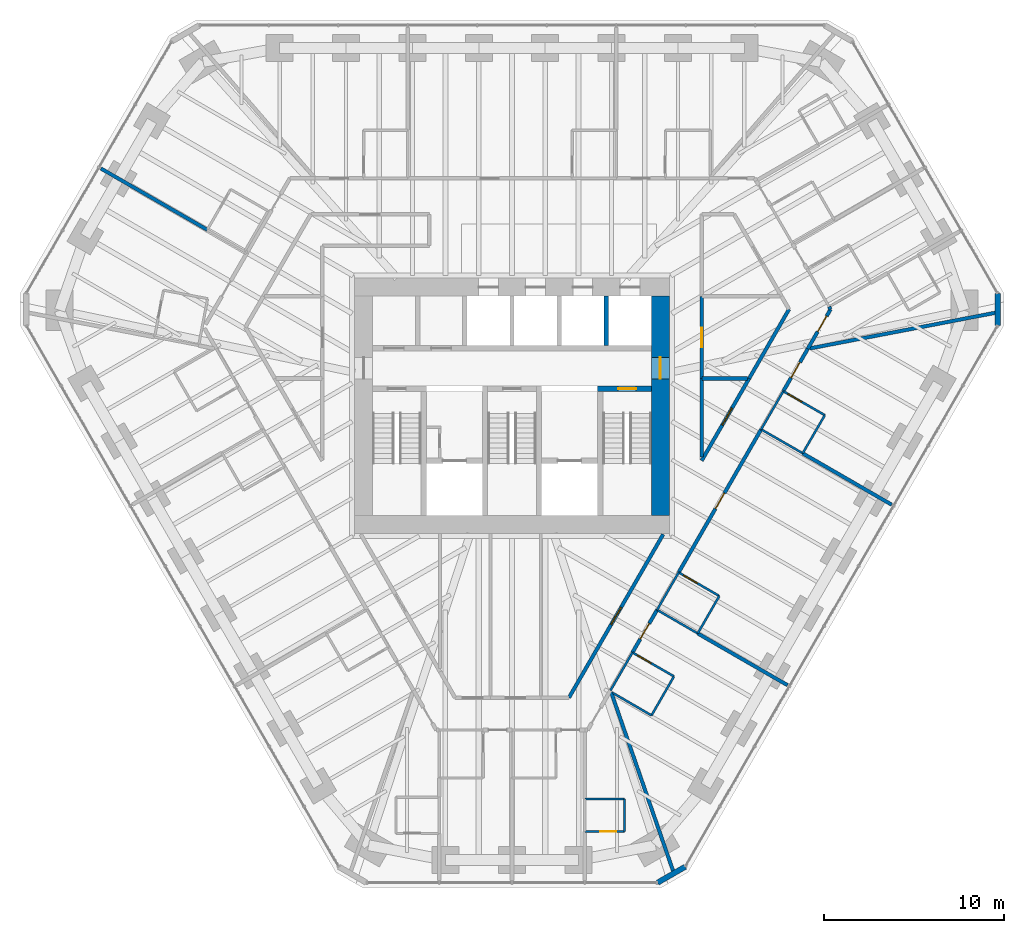
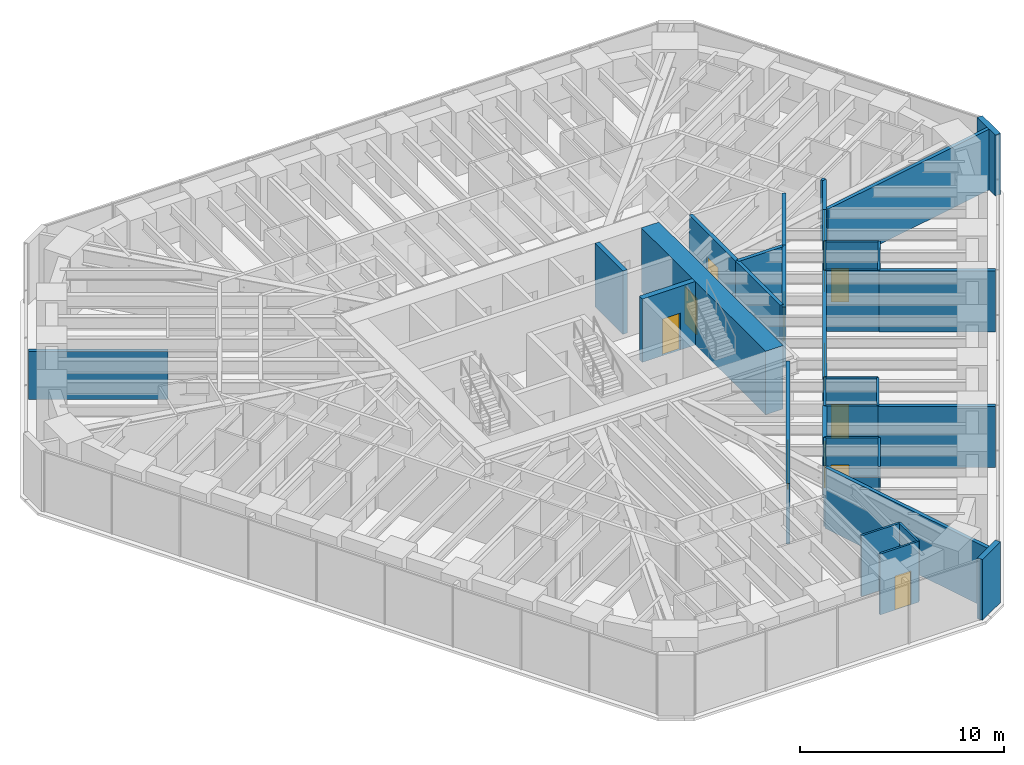
# One storey, part 13 of 17: 36 walls, 13 doors, 13 openings.
"""IFC4 building model written with IfcOpenShell, lengths in metres."""

from ifc_helpers import new_model, si_unit, direction, frame, frame_2d, origin, place, context, subcontext, project, spatial, rectangle, extrude, material, layer, layer_set, type_object, element, fill, save


model = new_model("IFC4")

# Units and contexts
model_context = context("Model", 3, precision=1e-05, world=origin(), true_north=direction((0.0, 1.0)))
body_context = subcontext(model_context, "Body", "Model", "MODEL_VIEW")
ifc_project = project(units=[si_unit("LENGTHUNIT", "METRE"), si_unit("AREAUNIT", "SQUARE_METRE"), si_unit("VOLUMEUNIT", "CUBIC_METRE"), si_unit("PLANEANGLEUNIT", "RADIAN"), si_unit("MASSUNIT", "GRAM", prefix="KILO")], contexts=[model_context])

# Site, building, storey
site_placement = place(None, origin())
site = spatial("IfcSite", under=ifc_project, at=site_placement, CompositionType="ELEMENT")
building_placement = place(site_placement, origin())
building = spatial("IfcBuilding", under=site, at=building_placement, Name="Sandreach Pilgrim Tower", CompositionType="ELEMENT")
storey_placement = place(building_placement, frame((0.0, 0.0, 213.60009765625)))
storey = spatial("IfcBuildingStorey", under=building, at=storey_placement, Name="L53", CompositionType="ELEMENT", Elevation=213.60009765625)

# Wall, opening, door
ifc_material_1 = material(Name="Moisture-resistant gypsum board on steel studs", Category="steel")
ifc_layer_1 = layer(ifc_material_1, 0.1201171875)
ifc_layer_set_1 = layer_set([ifc_layer_1], Name="Bathroom partition 120")
wall_type_1 = type_object("IfcWallType", Name="Bathroom partition 120", PredefinedType="PARTITIONING", material=ifc_layer_set_1)
wall_1_placement = place(storey_placement, frame((4.050048828125, -23.679931640625, 0.0), z_axis=(0.0, 0.0, 1.0), x_axis=(1.0, 0.0, 0.0)))
wall_1 = element("IfcWall", 1, at=wall_1_placement, inside=storey, type_object=wall_type_1, Name="Bathroom partition L53-085", PredefinedType="PARTITIONING", context=body_context, shape_type="SweptSolid", body=[
    extrude(rectangle(XDim=2.199951171875, YDim=0.1201171875, at=frame_2d((1.10009765625, 0.0))), origin(), (0.0, 0.0, 1.0), 3.639892578125),
])
opening_1_placement = place(wall_1_placement, frame((0.85009765625, 0.0, 0.0)))
opening_1 = element("IfcOpeningElement", 2, at=opening_1_placement, cuts=wall_1, Name="Opening D09-11B", PredefinedType="OPENING", context=body_context, shape_type="SweptSolid", body=[
    extrude(rectangle(XDim=0.89990234375, YDim=2.030029296875, at=frame_2d((0.449951171875, 1.01513671875))), frame((0.0, 0.06005859375, 0.0), z_axis=(0.0, -1.0, 0.0), x_axis=(1.0, 0.0, 0.0)), (0.0, 0.0, 1.0), 0.1201171875),
])
ifc_material_2 = material(Name="Timber door, steel frame", Category="steel")
door_type_1 = type_object("IfcDoorType", Name="Bathroom door", OperationType="SINGLE_SWING_LEFT", PredefinedType="DOOR", material=ifc_material_2)
door_1_placement = place(opening_1_placement, origin())
door_1 = element("IfcDoor", 3, at=door_1_placement, inside=storey, type_object=door_type_1, Name="Door 5311B", OperationType="SINGLE_SWING_RIGHT", OverallHeight=2.030029296875, OverallWidth=0.89990234375, PredefinedType="DOOR", context=body_context, shape_type="SweptSolid", body=[
    extrude(rectangle(XDim=0.89990234375, YDim=2.030029296875, at=frame_2d((0.449951171875, 1.01513671875))), frame((0.0, 0.02490234375, 0.0), z_axis=(0.0, -1.0, 0.0), x_axis=(1.0, 0.0, 0.0)), (0.0, 0.0, 1.0), 0.050048828125),
])
fill(opening_1, door_1)

# Walls
wall_2_placement = place(storey_placement, frame((5.47998046875, -15.830078125, 0.0), z_axis=(0.0, 0.0, 1.0), x_axis=(0.50122183301, 0.865318828013, 0.0)))
element("IfcWall", 4, at=wall_2_placement, inside=storey, type_object=wall_type_1, Name="Bathroom partition L53-089", PredefinedType="PARTITIONING", context=body_context, shape_type="SweptSolid", body=[
    extrude(rectangle(XDim=2.4375, YDim=0.1201171875, at=frame_2d((1.21875, 0.0))), origin(), (0.0, 0.0, 1.0), 3.639892578125),
])
wall_3_placement = place(storey_placement, frame((5.615234375, -15.97509765625, 0.0), z_axis=(0.0, 0.0, 1.0), x_axis=(0.864873056518, -0.501990633487, 0.0)))
element("IfcWall", 5, at=wall_3_placement, inside=storey, type_object=wall_type_1, Name="Bathroom partition L53-091", PredefinedType="PARTITIONING", context=body_context, shape_type="SweptSolid", body=[
    extrude(rectangle(XDim=2.47998046875, YDim=0.1201171875, at=frame_2d((1.239990234375, 0.0))), origin(), (0.0, 0.0, 1.0), 3.037841796875),
])
wall_4_placement = place(storey_placement, frame((6.25, -23.679931640625, 0.0), z_axis=(0.0, 0.0, 1.0), x_axis=(0.0, 1.0, 0.0)))
element("IfcWall", 6, at=wall_4_placement, inside=storey, type_object=wall_type_1, Name="Bathroom partition L53-096", PredefinedType="PARTITIONING", context=body_context, shape_type="SweptSolid", body=[
    extrude(rectangle(XDim=1.809814453125, YDim=0.1201171875, at=frame_2d((0.90478515625, 0.0))), origin(), (0.0, 0.0, 1.0), 3.639892578125),
])
wall_5_placement = place(storey_placement, frame((6.25, -21.8701171875, 0.0), z_axis=(0.0, 0.0, 1.0), x_axis=(-1.0, 0.0, 0.0)))
element("IfcWall", 7, at=wall_5_placement, inside=storey, type_object=wall_type_1, Name="Bathroom partition L53-097", PredefinedType="PARTITIONING", context=body_context, shape_type="SweptSolid", body=[
    extrude(rectangle(XDim=2.199951171875, YDim=0.1201171875, at=frame_2d((1.10009765625, 0.0))), origin(), (0.0, 0.0, 1.0), 3.639892578125),
])
wall_6_placement = place(storey_placement, frame((7.760009765625, -17.219970703125, 0.0), z_axis=(0.0, 0.0, 1.0), x_axis=(0.499159685399, 0.866510016372, 0.0)))
element("IfcWall", 8, at=wall_6_placement, inside=storey, type_object=wall_type_1, Name="Bathroom partition L53-098", PredefinedType="PARTITIONING", context=body_context, shape_type="SweptSolid", body=[
    extrude(rectangle(XDim=2.504150390625, YDim=0.1201171875, at=frame_2d((1.251953125, 0.0))), origin(), (0.0, 0.0, 1.0), 3.639892578125),
])
wall_7_placement = place(storey_placement, frame((8.070068359375, -11.35009765625, 0.0), z_axis=(0.0, 0.0, 1.0), x_axis=(0.499693115345, 0.866202511239, 0.0)))
element("IfcWall", 9, at=wall_7_placement, inside=storey, type_object=wall_type_1, Name="Bathroom partition L53-100", PredefinedType="PARTITIONING", context=body_context, shape_type="SweptSolid", body=[
    extrude(rectangle(XDim=2.4013671875, YDim=0.1201171875, at=frame_2d((1.20068359375, 0.0))), origin(), (0.0, 0.0, 1.0), 3.639892578125),
])
wall_8_placement = place(storey_placement, frame((8.070068359375, -11.35009765625, 0.0), z_axis=(0.0, 0.0, 1.0), x_axis=(0.865195830568, -0.501434118073, 0.0)))
element("IfcWall", 10, at=wall_8_placement, inside=storey, type_object=wall_type_1, Name="Bathroom partition L53-101", PredefinedType="PARTITIONING", context=body_context, shape_type="SweptSolid", body=[
    extrude(rectangle(XDim=2.612060546875, YDim=0.1201171875, at=frame_2d((1.30615234375, 0.0))), origin(), (0.0, 0.0, 1.0), 3.639892578125),
])

# Wall, opening, door
wall_9_placement = place(storey_placement, frame((9.010009765625, -15.050048828125, 0.0), z_axis=(0.0, 0.0, 1.0), x_axis=(-0.866615255992, 0.498976951453, 0.0)))
wall_9 = element("IfcWall", 11, at=wall_9_placement, inside=storey, type_object=wall_type_1, Name="Bathroom partition L53-105", PredefinedType="PARTITIONING", context=body_context, shape_type="SweptSolid", body=[
    extrude(rectangle(XDim=2.66552734375, YDim=0.1201171875, at=frame_2d((1.332763671875, 0.0))), origin(), (0.0, 0.0, 1.0), 3.639892578125),
])
opening_2_placement = place(wall_9_placement, frame((1.465576171875, 0.0, 0.0)))
opening_2 = element("IfcOpeningElement", 12, at=opening_2_placement, cuts=wall_9, Name="Opening D09-10B", PredefinedType="OPENING", context=body_context, shape_type="SweptSolid", body=[
    extrude(rectangle(XDim=0.89990234375, YDim=2.030029296875, at=frame_2d((0.449951171875, 1.01513671875))), frame((0.0, 0.06005859375, 0.0), z_axis=(0.0, -1.0, 0.0), x_axis=(1.0, 0.0, 0.0)), (0.0, 0.0, 1.0), 0.1201171875),
])
door_2_placement = place(opening_2_placement, origin())
door_2 = element("IfcDoor", 13, at=door_2_placement, inside=storey, type_object=door_type_1, Name="Door 5310B", OperationType="SINGLE_SWING_RIGHT", OverallHeight=2.030029296875, OverallWidth=0.89990234375, PredefinedType="DOOR", context=body_context, shape_type="SweptSolid", body=[
    extrude(rectangle(XDim=0.89990234375, YDim=2.030029296875, at=frame_2d((0.449951171875, 1.01513671875))), frame((0.0, 0.02490234375, 0.0), z_axis=(0.0, -1.0, 0.0), x_axis=(1.0, 0.0, 0.0)), (0.0, 0.0, 1.0), 0.050048828125),
])
fill(opening_2, door_2)

# Wall
wall_10_placement = place(storey_placement, frame((10.330078125, -12.659912109375, 0.0), z_axis=(0.0, 0.0, 1.0), x_axis=(0.499737123639, 0.866177122335, 0.0)))
element("IfcWall", 14, at=wall_10_placement, inside=storey, type_object=wall_type_1, Name="Bathroom partition L53-107", PredefinedType="PARTITIONING", context=body_context, shape_type="SweptSolid", body=[
    extrude(rectangle(XDim=2.401123046875, YDim=0.1201171875, at=frame_2d((1.20068359375, 0.0))), origin(), (0.0, 0.0, 1.0), 3.639892578125),
])

# Wall, opening, door
wall_11_placement = place(storey_placement, frame((11.530029296875, -10.580078125, 0.0), z_axis=(0.0, 0.0, 1.0), x_axis=(-0.865155281359, 0.50150407689, 0.0)))
wall_11 = element("IfcWall", 15, at=wall_11_placement, inside=storey, type_object=wall_type_1, Name="Bathroom partition L53-118", PredefinedType="PARTITIONING", context=body_context, shape_type="SweptSolid", body=[
    extrude(rectangle(XDim=2.6123046875, YDim=0.1201171875, at=frame_2d((1.30615234375, 0.0))), origin(), (0.0, 0.0, 1.0), 3.639892578125),
])
opening_3_placement = place(wall_11_placement, frame((1.412109375, 0.0, 0.0)))
opening_3 = element("IfcOpeningElement", 16, at=opening_3_placement, cuts=wall_11, Name="Opening D09-09B", PredefinedType="OPENING", context=body_context, shape_type="SweptSolid", body=[
    extrude(rectangle(XDim=0.89990234375, YDim=2.030029296875, at=frame_2d((0.449951171875, 1.01513671875))), frame((0.0, 0.06005859375, 0.0), z_axis=(0.0, -1.0, 0.0), x_axis=(1.0, 0.0, 0.0)), (0.0, 0.0, 1.0), 0.1201171875),
])
door_3_placement = place(opening_3_placement, origin())
door_3 = element("IfcDoor", 17, at=door_3_placement, inside=storey, type_object=door_type_1, Name="Door 5309B", OperationType="SINGLE_SWING_RIGHT", OverallHeight=2.030029296875, OverallWidth=0.89990234375, PredefinedType="DOOR", context=body_context, shape_type="SweptSolid", body=[
    extrude(rectangle(XDim=0.89990234375, YDim=2.030029296875, at=frame_2d((0.449951171875, 1.01513671875))), frame((0.0, 0.02490234375, 0.0), z_axis=(0.0, -1.0, 0.0), x_axis=(1.0, 0.0, 0.0)), (0.0, 0.0, 1.0), 0.050048828125),
])
fill(opening_3, door_3)

# Walls
wall_12_placement = place(storey_placement, frame((13.860107421875, -1.31005859375, 0.0), z_axis=(0.0, 0.0, 1.0), x_axis=(0.501813488763, 0.864975850817, 0.0)))
element("IfcWall", 18, at=wall_12_placement, inside=storey, type_object=wall_type_1, Name="Bathroom partition L53-125", PredefinedType="PARTITIONING", context=body_context, shape_type="SweptSolid", body=[
    extrude(rectangle(XDim=2.451171875, YDim=0.1201171875, at=frame_2d((1.2255859375, 0.0))), origin(), (0.0, 0.0, 1.0), 3.639892578125),
])
wall_13_placement = place(storey_placement, frame((16.169921875, -2.639892578125, 0.0), z_axis=(0.0, 0.0, 1.0), x_axis=(-0.86663205897, 0.498947767172, 0.0)))
element("IfcWall", 19, at=wall_13_placement, inside=storey, type_object=wall_type_1, Name="Bathroom partition L53-134", PredefinedType="PARTITIONING", context=body_context, shape_type="SweptSolid", body=[
    extrude(rectangle(XDim=2.665283203125, YDim=0.1201171875, at=frame_2d((1.33251953125, 0.0))), origin(), (0.0, 0.0, 1.0), 3.639892578125),
])
wall_14_placement = place(storey_placement, frame((16.169921875, -2.639892578125, 0.0), z_axis=(0.0, 0.0, 1.0), x_axis=(0.501856726365, 0.86495076519, 0.0)))
element("IfcWall", 20, at=wall_14_placement, inside=storey, type_object=wall_type_1, Name="Bathroom partition L53-135", PredefinedType="PARTITIONING", context=body_context, shape_type="SweptSolid", body=[
    extrude(rectangle(XDim=2.450927734375, YDim=0.1201171875, at=frame_2d((1.2255859375, 0.0))), origin(), (0.0, 0.0, 1.0), 3.639892578125),
])

# Wall, opening, door
wall_15_placement = place(storey_placement, frame((17.39990234375, -0.52001953125, 0.0), z_axis=(0.0, 0.0, 1.0), x_axis=(-0.866592449628, 0.499016559092, 0.0)))
wall_15 = element("IfcWall", 21, at=wall_15_placement, inside=storey, type_object=wall_type_1, Name="Bathroom partition L53-140", PredefinedType="PARTITIONING", context=body_context, shape_type="SweptSolid", body=[
    extrude(rectangle(XDim=2.665283203125, YDim=0.1201171875, at=frame_2d((1.33251953125, 0.0))), origin(), (0.0, 0.0, 1.0), 3.639892578125),
])
opening_4_placement = place(wall_15_placement, frame((1.465576171875, 0.0, 0.0)))
opening_4 = element("IfcOpeningElement", 22, at=opening_4_placement, cuts=wall_15, Name="Opening D09-08B", PredefinedType="OPENING", context=body_context, shape_type="SweptSolid", body=[
    extrude(rectangle(XDim=0.89990234375, YDim=2.030029296875, at=frame_2d((0.449951171875, 1.01513671875))), frame((0.0, 0.06005859375, 0.0), z_axis=(0.0, -1.0, 0.0), x_axis=(1.0, 0.0, 0.0)), (0.0, 0.0, 1.0), 0.1201171875),
])
door_4_placement = place(opening_4_placement, origin())
door_4 = element("IfcDoor", 23, at=door_4_placement, inside=storey, type_object=door_type_1, Name="Door 5308B", OperationType="SINGLE_SWING_RIGHT", OverallHeight=2.030029296875, OverallWidth=0.89990234375, PredefinedType="DOOR", context=body_context, shape_type="SweptSolid", body=[
    extrude(rectangle(XDim=0.89990234375, YDim=2.030029296875, at=frame_2d((0.449951171875, 1.01513671875))), frame((0.0, 0.02490234375, 0.0), z_axis=(0.0, -1.0, 0.0), x_axis=(1.0, 0.0, 0.0)), (0.0, 0.0, 1.0), 0.050048828125),
])
fill(opening_4, door_4)

ifc_material_3 = material(Name="Concrete 10000 psi", Category="concrete")
ifc_layer_2 = layer(ifc_material_3, 0.300048828125)
ifc_layer_set_2 = layer_set([ifc_layer_2], Name="Core inner wall 300")
wall_type_2 = type_object("IfcWallType", Name="Core inner wall 300", PredefinedType="SHEAR", material=ifc_layer_set_2)
wall_16_placement = place(storey_placement, frame((4.75, 0.949951171875, 0.0), z_axis=(0.0, 0.0, 1.0), x_axis=(1.0, 0.0, 0.0)))
wall_16 = element("IfcWall", 24, at=wall_16_placement, inside=storey, type_object=wall_type_2, Name="Core wall SN2 L53", PredefinedType="SHEAR", context=body_context, shape_type="SweptSolid", body=[
    extrude(rectangle(XDim=3.0, YDim=0.300048828125, at=frame_2d((1.5, 0.0))), origin(), (0.0, 0.0, 1.0), 3.7998046875),
])
opening_5_placement = place(wall_16_placement, frame((1.14990234375, 0.0, 0.0)))
opening_5 = element("IfcOpeningElement", 25, at=opening_5_placement, cuts=wall_16, Name="Opening D10S-ST2", PredefinedType="OPENING", context=body_context, shape_type="SweptSolid", body=[
    extrude(rectangle(XDim=1.0, YDim=2.199951171875, at=frame_2d((0.5, 1.10009765625))), frame((0.0, 0.14990234375, 0.0), z_axis=(0.0, -1.0, 0.0), x_axis=(1.0, 0.0, 0.0)), (0.0, 0.0, 1.0), 0.300048828125),
])
ifc_material_4 = material(Name="Steel door and frame", Category="steel")
door_type_2 = type_object("IfcDoorType", Name="Stair door", OperationType="SINGLE_SWING_LEFT", PredefinedType="DOOR", material=ifc_material_4)
door_5_placement = place(opening_5_placement, origin())
door_5 = element("IfcDoor", 26, at=door_5_placement, inside=storey, type_object=door_type_2, Name="Stair door ST2 L53", OperationType="SINGLE_SWING_RIGHT", OverallHeight=2.199951171875, OverallWidth=1.0, PredefinedType="DOOR", context=body_context, shape_type="SweptSolid", body=[
    extrude(rectangle(XDim=1.0, YDim=2.199951171875, at=frame_2d((0.5, 1.10009765625))), frame((0.0, 0.02490234375, 0.0), z_axis=(0.0, -1.0, 0.0), x_axis=(1.0, 0.0, 0.0)), (0.0, 0.0, 1.0), 0.050048828125),
])
fill(opening_5, door_5)

ifc_material_5 = material(Name="Concrete 10000 psi", Category="concrete")
ifc_layer_3 = layer(ifc_material_5, 1.0)
ifc_layer_set_3 = layer_set([ifc_layer_3], Name="Core wall 1000")
wall_type_3 = type_object("IfcWallType", Name="Core wall 1000", PredefinedType="SHEAR", material=ifc_layer_set_3)
wall_17_placement = place(storey_placement, frame((8.25, -6.10009765625, 0.0), z_axis=(0.0, 0.0, 1.0), x_axis=(0.0, 1.0, 0.0)))
wall_17 = element("IfcWall", 27, at=wall_17_placement, inside=storey, type_object=wall_type_3, Name="Core wall E L53", PredefinedType="SHEAR", context=body_context, shape_type="SweptSolid", body=[
    extrude(rectangle(XDim=12.2001953125, YDim=1.0, at=frame_2d((6.10009765625, 0.0))), origin(), (0.0, 0.0, 1.0), 3.7998046875),
])
opening_6_placement = place(wall_17_placement, frame((7.60009765625, 0.0, 0.0)))
opening_6 = element("IfcOpeningElement", 28, at=opening_6_placement, cuts=wall_17, Name="Opening D12F-E", PredefinedType="OPENING", context=body_context, shape_type="SweptSolid", body=[
    extrude(rectangle(XDim=1.199951171875, YDim=2.199951171875, at=frame_2d((0.60009765625, 1.10009765625))), frame((0.0, 0.5, 0.0), z_axis=(0.0, -1.0, 0.0), x_axis=(1.0, 0.0, 0.0)), (0.0, 0.0, 1.0), 1.0),
])
ifc_material_6 = material(Name="Steel door and frame", Category="steel")
door_type_3 = type_object("IfcDoorType", Name="Fire lobby door", OperationType="SINGLE_SWING_LEFT", PredefinedType="DOOR", material=ifc_material_6)
door_6_placement = place(opening_6_placement, origin())
door_6 = element("IfcDoor", 29, at=door_6_placement, inside=storey, type_object=door_type_3, Name="Fire service lobby door E L53", OperationType="SINGLE_SWING_RIGHT", OverallHeight=2.199951171875, OverallWidth=1.199951171875, PredefinedType="DOOR", context=body_context, shape_type="SweptSolid", body=[
    extrude(rectangle(XDim=1.199951171875, YDim=2.199951171875, at=frame_2d((0.60009765625, 1.10009765625))), frame((0.0, 0.02490234375, 0.0), z_axis=(0.0, -1.0, 0.0), x_axis=(1.0, 0.0, 0.0)), (0.0, 0.0, 1.0), 0.050048828125),
])
fill(opening_6, door_6)

ifc_material_7 = material(Name="Gypsum board on steel studs, two layers each side", Category="steel")
ifc_layer_4 = layer(ifc_material_7, 0.199951171875)
ifc_layer_set_4 = layer_set([ifc_layer_4], Name="Corridor wall 200")
wall_type_4 = type_object("IfcWallType", Name="Corridor wall 200", PredefinedType="PARTITIONING", material=ifc_layer_set_4)
wall_18_placement = place(storey_placement, frame((8.070068359375, -11.35009765625, 0.0), z_axis=(0.0, 0.0, 1.0), x_axis=(-0.499889730522, -0.866089058537, 0.0)))
wall_18 = element("IfcWall", 30, at=wall_18_placement, inside=storey, type_object=wall_type_4, Name="Corridor wall L53-099", PredefinedType="PARTITIONING", context=body_context, shape_type="SweptSolid", body=[
    extrude(rectangle(XDim=2.7373046875, YDim=0.199951171875, at=frame_2d((1.36865234375, 0.0))), origin(), (0.0, 0.0, 1.0), 3.639892578125),
])
opening_7_placement = place(wall_18_placement, frame((0.868896484375, 0.0, 0.0)))
opening_7 = element("IfcOpeningElement", 31, at=opening_7_placement, cuts=wall_18, Name="Opening D10-10", PredefinedType="OPENING", context=body_context, shape_type="SweptSolid", body=[
    extrude(rectangle(XDim=1.0, YDim=2.1298828125, at=frame_2d((0.5, 1.06494140625))), frame((0.0, 0.10009765625, 0.0), z_axis=(0.0, -1.0, 0.0), x_axis=(1.0, 0.0, 0.0)), (0.0, 0.0, 1.0), 0.199951171875),
])
ifc_material_8 = material(Name="Steel door and frame", Category="steel")
door_type_4 = type_object("IfcDoorType", Name="Guest room entry door", OperationType="SINGLE_SWING_LEFT", PredefinedType="DOOR", material=ifc_material_8)
door_7_placement = place(opening_7_placement, origin())
door_7 = element("IfcDoor", 32, at=door_7_placement, inside=storey, type_object=door_type_4, Name="Door 5310", OperationType="SINGLE_SWING_LEFT", OverallHeight=2.1298828125, OverallWidth=1.0, PredefinedType="DOOR", context=body_context, shape_type="SweptSolid", body=[
    extrude(rectangle(XDim=1.0, YDim=2.1298828125, at=frame_2d((0.5, 1.06494140625))), frame((0.0, 0.02490234375, 0.0), z_axis=(0.0, -1.0, 0.0), x_axis=(1.0, 0.0, 0.0)), (0.0, 0.0, 1.0), 0.050048828125),
])
fill(opening_7, door_7)

wall_19_placement = place(storey_placement, frame((8.409912109375, -7.14990234375, 0.0), z_axis=(0.0, 0.0, 1.0), x_axis=(-0.499828628176, -0.866124322748, 0.0)))
wall_19 = element("IfcWall", 33, at=wall_19_placement, inside=storey, type_object=wall_type_4, Name="Corridor wall L53-102", PredefinedType="PARTITIONING", context=body_context, shape_type="SweptSolid", body=[
    extrude(rectangle(XDim=10.483642578125, YDim=0.199951171875, at=frame_2d((5.24169921875, 0.0))), origin(), (0.0, 0.0, 1.0), 3.639892578125),
])
opening_8_placement = place(wall_19_placement, frame((4.691650390625, 0.0, 0.0)))
opening_8 = element("IfcOpeningElement", 34, at=opening_8_placement, cuts=wall_19, Name="Opening D11H-S4", PredefinedType="OPENING", context=body_context, shape_type="SweptSolid", body=[
    extrude(rectangle(XDim=1.10009765625, YDim=2.199951171875, at=frame_2d((0.550048828125, 1.10009765625))), frame((0.0, 0.10009765625, 0.0), z_axis=(0.0, -1.0, 0.0), x_axis=(1.0, 0.0, 0.0)), (0.0, 0.0, 1.0), 0.199951171875),
])
ifc_material_9 = material(Name="Steel door and frame", Category="steel")
door_type_5 = type_object("IfcDoorType", Name="Back of house door", OperationType="SINGLE_SWING_LEFT", PredefinedType="DOOR", material=ifc_material_9)
door_8_placement = place(opening_8_placement, origin())
door_8 = element("IfcDoor", 35, at=door_8_placement, inside=storey, type_object=door_type_5, Name="Door 53S4", OperationType="SINGLE_SWING_LEFT", OverallHeight=2.199951171875, OverallWidth=1.10009765625, PredefinedType="DOOR", context=body_context, shape_type="SweptSolid", body=[
    extrude(rectangle(XDim=1.10009765625, YDim=2.199951171875, at=frame_2d((0.550048828125, 1.10009765625))), frame((0.0, 0.02490234375, 0.0), z_axis=(0.0, -1.0, 0.0), x_axis=(1.0, 0.0, 0.0)), (0.0, 0.0, 1.0), 0.050048828125),
])
fill(opening_8, door_8)

wall_20_placement = place(storey_placement, frame((9.27001953125, -9.27001953125, 0.0), z_axis=(0.0, 0.0, 1.0), x_axis=(0.499543028754, 0.866289075554, 0.0)))
wall_20 = element("IfcWall", 36, at=wall_20_placement, inside=storey, type_object=wall_type_4, Name="Corridor wall L53-106", PredefinedType="PARTITIONING", context=body_context, shape_type="SweptSolid", body=[
    extrude(rectangle(XDim=9.1884765625, YDim=0.199951171875, at=frame_2d((4.59423828125, 0.0))), origin(), (0.0, 0.0, 1.0), 3.639892578125),
])
opening_9_placement = place(wall_20_placement, frame((4.09423828125, 0.0, 0.0)))
opening_9 = element("IfcOpeningElement", 37, at=opening_9_placement, cuts=wall_20, Name="Opening D10-09", PredefinedType="OPENING", context=body_context, shape_type="SweptSolid", body=[
    extrude(rectangle(XDim=1.0, YDim=2.1298828125, at=frame_2d((0.5, 1.06494140625))), frame((0.0, 0.10009765625, 0.0), z_axis=(0.0, -1.0, 0.0), x_axis=(1.0, 0.0, 0.0)), (0.0, 0.0, 1.0), 0.199951171875),
])
door_9_placement = place(opening_9_placement, origin())
door_9 = element("IfcDoor", 38, at=door_9_placement, inside=storey, type_object=door_type_4, Name="Door 5309", OperationType="SINGLE_SWING_LEFT", OverallHeight=2.1298828125, OverallWidth=1.0, PredefinedType="DOOR", context=body_context, shape_type="SweptSolid", body=[
    extrude(rectangle(XDim=1.0, YDim=2.1298828125, at=frame_2d((0.5, 1.06494140625))), frame((0.0, 0.02490234375, 0.0), z_axis=(0.0, -1.0, 0.0), x_axis=(1.0, 0.0, 0.0)), (0.0, 0.0, 1.0), 0.050048828125),
])
fill(opening_9, door_9)

# Wall
wall_21_placement = place(storey_placement, frame((10.550048828125, -2.85498046875, 0.0), z_axis=(0.0, 0.0, 1.0), x_axis=(0.0, 1.0, 0.0)))
element("IfcWall", 39, at=wall_21_placement, inside=storey, type_object=wall_type_4, Name="Corridor wall L53-109", PredefinedType="PARTITIONING", context=body_context, shape_type="SweptSolid", body=[
    extrude(rectangle(XDim=4.375, YDim=0.199951171875, at=frame_2d((2.1875, 0.0))), origin(), (0.0, 0.0, 1.0), 3.639892578125),
])

# Wall, opening, door
wall_22_placement = place(storey_placement, frame((10.550048828125, 1.52001953125, 0.0), z_axis=(0.0, 0.0, 1.0), x_axis=(0.0, 1.0, 0.0)))
wall_22 = element("IfcWall", 40, at=wall_22_placement, inside=storey, type_object=wall_type_4, Name="Corridor wall L53-110", PredefinedType="PARTITIONING", context=body_context, shape_type="SweptSolid", body=[
    extrude(rectangle(XDim=4.570068359375, YDim=0.199951171875, at=frame_2d((2.28515625, 0.0))), origin(), (0.0, 0.0, 1.0), 3.639892578125),
])
opening_10_placement = place(wall_22_placement, frame((1.735107421875, 0.0, 0.0)))
opening_10 = element("IfcOpeningElement", 41, at=opening_10_placement, cuts=wall_22, Name="Opening D11H-M06", PredefinedType="OPENING", context=body_context, shape_type="SweptSolid", body=[
    extrude(rectangle(XDim=1.10009765625, YDim=2.199951171875, at=frame_2d((0.550048828125, 1.10009765625))), frame((0.0, 0.10009765625, 0.0), z_axis=(0.0, -1.0, 0.0), x_axis=(1.0, 0.0, 0.0)), (0.0, 0.0, 1.0), 0.199951171875),
])
door_10_placement = place(opening_10_placement, origin())
door_10 = element("IfcDoor", 42, at=door_10_placement, inside=storey, type_object=door_type_5, Name="Door 53M06", OperationType="SINGLE_SWING_LEFT", OverallHeight=2.199951171875, OverallWidth=1.10009765625, PredefinedType="DOOR", context=body_context, shape_type="SweptSolid", body=[
    extrude(rectangle(XDim=1.10009765625, YDim=2.199951171875, at=frame_2d((0.550048828125, 1.10009765625))), frame((0.0, 0.02490234375, 0.0), z_axis=(0.0, -1.0, 0.0), x_axis=(1.0, 0.0, 0.0)), (0.0, 0.0, 1.0), 0.050048828125),
])
fill(opening_10, door_10)

wall_23_placement = place(storey_placement, frame((13.18994140625, 1.52001953125, 0.0), z_axis=(0.0, 0.0, 1.0), x_axis=(-0.500193590286, -0.865913605527, 0.0)))
wall_23 = element("IfcWall", 43, at=wall_23_placement, inside=storey, type_object=wall_type_4, Name="Corridor wall L53-120", PredefinedType="PARTITIONING", context=body_context, shape_type="SweptSolid", body=[
    extrude(rectangle(XDim=5.27783203125, YDim=0.199951171875, at=frame_2d((2.638916015625, 0.0))), origin(), (0.0, 0.0, 1.0), 3.639892578125),
])
opening_11_placement = place(wall_23_placement, frame((1.89990234375, 0.0, 0.0)))
opening_11 = element("IfcOpeningElement", 44, at=opening_11_placement, cuts=wall_23, Name="Opening D11H-M04", PredefinedType="OPENING", context=body_context, shape_type="SweptSolid", body=[
    extrude(rectangle(XDim=1.10009765625, YDim=2.199951171875, at=frame_2d((0.550048828125, 1.10009765625))), frame((0.0, 0.10009765625, 0.0), z_axis=(0.0, -1.0, 0.0), x_axis=(1.0, 0.0, 0.0)), (0.0, 0.0, 1.0), 0.199951171875),
])
door_11_placement = place(opening_11_placement, origin())
door_11 = element("IfcDoor", 45, at=door_11_placement, inside=storey, type_object=door_type_5, Name="Door 53M04", OperationType="SINGLE_SWING_LEFT", OverallHeight=2.199951171875, OverallWidth=1.10009765625, PredefinedType="DOOR", context=body_context, shape_type="SweptSolid", body=[
    extrude(rectangle(XDim=1.10009765625, YDim=2.199951171875, at=frame_2d((0.550048828125, 1.10009765625))), frame((0.0, 0.02490234375, 0.0), z_axis=(0.0, -1.0, 0.0), x_axis=(1.0, 0.0, 0.0)), (0.0, 0.0, 1.0), 0.050048828125),
])
fill(opening_11, door_11)

wall_24_placement = place(storey_placement, frame((15.090087890625, 0.81005859375, 0.0), z_axis=(0.0, 0.0, 1.0), x_axis=(0.499282656393, 0.866439166373, 0.0)))
wall_24 = element("IfcWall", 46, at=wall_24_placement, inside=storey, type_object=wall_type_4, Name="Corridor wall L53-129", PredefinedType="PARTITIONING", context=body_context, shape_type="SweptSolid", body=[
    extrude(rectangle(XDim=2.7236328125, YDim=0.199951171875, at=frame_2d((1.36181640625, 0.0))), origin(), (0.0, 0.0, 1.0), 3.639892578125),
])
opening_12_placement = place(wall_24_placement, frame((0.86181640625, 0.0, 0.0)))
opening_12 = element("IfcOpeningElement", 47, at=opening_12_placement, cuts=wall_24, Name="Opening D10-08", PredefinedType="OPENING", context=body_context, shape_type="SweptSolid", body=[
    extrude(rectangle(XDim=1.0, YDim=2.1298828125, at=frame_2d((0.5, 1.06494140625))), frame((0.0, 0.10009765625, 0.0), z_axis=(0.0, -1.0, 0.0), x_axis=(1.0, 0.0, 0.0)), (0.0, 0.0, 1.0), 0.199951171875),
])
door_12_placement = place(opening_12_placement, origin())
door_12 = element("IfcDoor", 48, at=door_12_placement, inside=storey, type_object=door_type_4, Name="Door 5308", OperationType="SINGLE_SWING_LEFT", OverallHeight=2.1298828125, OverallWidth=1.0, PredefinedType="DOOR", context=body_context, shape_type="SweptSolid", body=[
    extrude(rectangle(XDim=1.0, YDim=2.1298828125, at=frame_2d((0.5, 1.06494140625))), frame((0.0, 0.02490234375, 0.0), z_axis=(0.0, -1.0, 0.0), x_axis=(1.0, 0.0, 0.0)), (0.0, 0.0, 1.0), 0.050048828125),
])
fill(opening_12, door_12)

# Wall
wall_25_placement = place(storey_placement, frame((15.409912109375, 5.3701171875, 0.0), z_axis=(0.0, 0.0, 1.0), x_axis=(-0.499513190454, -0.866306281036, 0.0)))
element("IfcWall", 49, at=wall_25_placement, inside=storey, type_object=wall_type_4, Name="Corridor wall L53-130", PredefinedType="PARTITIONING", context=body_context, shape_type="SweptSolid", body=[
    extrude(rectangle(XDim=4.4443359375, YDim=0.199951171875, at=frame_2d((2.22216796875, 0.0))), origin(), (0.0, 0.0, 1.0), 3.639892578125),
])

# Wall, opening, door
wall_26_placement = place(storey_placement, frame((16.449951171875, 3.169921875, 0.0), z_axis=(0.0, 0.0, 1.0), x_axis=(0.499922110319, 0.866070368743, 0.0)))
wall_26 = element("IfcWall", 50, at=wall_26_placement, inside=storey, type_object=wall_type_4, Name="Corridor wall L53-137", PredefinedType="PARTITIONING", context=body_context, shape_type="SweptSolid", body=[
    extrude(rectangle(XDim=2.54052734375, YDim=0.199951171875, at=frame_2d((1.270263671875, 0.0))), origin(), (0.0, 0.0, 1.0), 3.639892578125),
])
opening_13_placement = place(wall_26_placement, frame((1.10009765625, 0.0, 0.0)))
opening_13 = element("IfcOpeningElement", 51, at=opening_13_placement, cuts=wall_26, Name="Opening D10-07", PredefinedType="OPENING", context=body_context, shape_type="SweptSolid", body=[
    extrude(rectangle(XDim=1.0, YDim=2.1298828125, at=frame_2d((0.5, 1.06494140625))), frame((0.0, 0.10009765625, 0.0), z_axis=(0.0, -1.0, 0.0), x_axis=(1.0, 0.0, 0.0)), (0.0, 0.0, 1.0), 0.199951171875),
])
door_13_placement = place(opening_13_placement, origin())
door_13 = element("IfcDoor", 52, at=door_13_placement, inside=storey, type_object=door_type_4, Name="Door 5307", OperationType="SINGLE_SWING_RIGHT", OverallHeight=2.1298828125, OverallWidth=1.0, PredefinedType="DOOR", context=body_context, shape_type="SweptSolid", body=[
    extrude(rectangle(XDim=1.0, YDim=2.1298828125, at=frame_2d((0.5, 1.06494140625))), frame((0.0, 0.02490234375, 0.0), z_axis=(0.0, -1.0, 0.0), x_axis=(1.0, 0.0, 0.0)), (0.0, 0.0, 1.0), 0.050048828125),
])
fill(opening_13, door_13)

# Walls
wall_27_placement = place(storey_placement, frame((17.719970703125, 5.3701171875, 0.0), z_axis=(0.0, 0.0, 1.0), x_axis=(-0.540386452408, 0.841416948994, 0.0)))
element("IfcWall", 53, at=wall_27_placement, inside=storey, type_object=wall_type_4, Name="Corridor wall L53-143", PredefinedType="PARTITIONING", context=body_context, shape_type="SweptSolid", body=[
    extrude(rectangle(XDim=0.166259765625, YDim=0.199951171875, at=frame_2d((0.0830078125, 0.0))), origin(), (0.0, 0.0, 1.0), 3.639892578125),
])
ifc_material_10 = material(Name="Double steel stud acoustic wall, gypsum board", Category="steel")
ifc_layer_5 = layer(ifc_material_10, 0.199951171875)
ifc_layer_set_5 = layer_set([ifc_layer_5], Name="Party wall 200")
wall_type_5 = type_object("IfcWallType", Name="Party wall 200", PredefinedType="PARTITIONING", material=ifc_layer_set_5)
wall_28_placement = place(storey_placement, frame((-16.949951171875, 9.7900390625, 0.0), z_axis=(0.0, 0.0, 1.0), x_axis=(-0.866371236465, 0.499400521251, 0.0)))
element("IfcWall", 54, at=wall_28_placement, inside=storey, type_object=wall_type_5, Name="Party wall L53-011", PredefinedType="PARTITIONING", context=body_context, shape_type="SweptSolid", body=[
    extrude(rectangle(XDim=6.82861328125, YDim=0.199951171875, at=frame_2d((3.414306640625, 0.0))), origin(), (0.0, 0.0, 1.0), 2.8779296875),
])
wall_29_placement = place(storey_placement, frame((5.515380859375, -15.93212890625, 0.0), z_axis=(0.0, 0.0, 1.0), x_axis=(0.327594697431, -0.944818349851, 0.0)))
element("IfcWall", 55, at=wall_29_placement, inside=storey, type_object=wall_type_5, Name="Party wall L53-090", PredefinedType="PARTITIONING", context=body_context, shape_type="SweptSolid", body=[
    extrude(rectangle(XDim=10.668212890625, YDim=0.199951171875, at=frame_2d((5.333984375, 0.0))), origin(), (0.0, 0.0, 1.0), 3.639892578125),
])
wall_30_placement = place(storey_placement, frame((10.330078125, -12.659912109375, 0.0), z_axis=(0.0, 0.0, 1.0), x_axis=(0.866342721203, -0.499449986905, 0.0)))
element("IfcWall", 56, at=wall_30_placement, inside=storey, type_object=wall_type_5, Name="Party wall L53-108", PredefinedType="PARTITIONING", context=body_context, shape_type="SweptSolid", body=[
    extrude(rectangle(XDim=5.7666015625, YDim=0.199951171875, at=frame_2d((2.88330078125, 0.0))), origin(), (0.0, 0.0, 1.0), 3.639892578125),
])
wall_31_placement = place(storey_placement, frame((10.56005859375, 1.52001953125, 0.0), z_axis=(0.0, 0.0, 1.0), x_axis=(1.0, 0.0, 0.0)))
element("IfcWall", 57, at=wall_31_placement, inside=storey, type_object=wall_type_5, Name="Party wall L53-112", PredefinedType="PARTITIONING", context=body_context, shape_type="SweptSolid", body=[
    extrude(rectangle(XDim=2.550048828125, YDim=0.199951171875, at=frame_2d((1.27490234375, 0.0))), origin(), (0.0, 0.0, 1.0), 3.639892578125),
])
wall_32_placement = place(storey_placement, frame((16.168212890625, -2.642822265625, 0.0), z_axis=(0.0, 0.0, 1.0), x_axis=(0.865980633471, -0.500077536441, 0.0)))
element("IfcWall", 58, at=wall_32_placement, inside=storey, type_object=wall_type_5, Name="Party wall L53-133", PredefinedType="PARTITIONING", context=body_context, shape_type="SweptSolid", body=[
    extrude(rectangle(XDim=5.71337890625, YDim=0.199951171875, at=frame_2d((2.856689453125, 0.0))), origin(), (0.0, 0.0, 1.0), 3.639892578125),
])
wall_33_placement = place(storey_placement, frame((27.04052734375, 5.204345703125, 0.0), z_axis=(0.0, 0.0, 1.0), x_axis=(-0.98204561609, -0.188643600256, 0.0)))
element("IfcWall", 59, at=wall_33_placement, inside=storey, type_object=wall_type_5, Name="Party wall L53-157", PredefinedType="PARTITIONING", context=body_context, shape_type="SweptSolid", body=[
    extrude(rectangle(XDim=10.6640625, YDim=0.199951171875, at=frame_2d((5.33203125, 0.0))), origin(), (0.0, 0.0, 1.0), 3.639892578125),
])
ifc_material_11 = material(Name="Gypsum shaft wall on steel studs, two layers of shaft liner board", Category="steel")
ifc_layer_6 = layer(ifc_material_11, 0.25)
ifc_layer_set_6 = layer_set([ifc_layer_6], Name="Shaft partition 250")
wall_type_6 = type_object("IfcWallType", Name="Shaft partition 250", PredefinedType="PARTITIONING", material=ifc_layer_set_6)
wall_34_placement = place(storey_placement, frame((5.25, 3.35009765625, 0.0), z_axis=(0.0, 0.0, 1.0), x_axis=(0.0, 1.0, 0.0)))
element("IfcWall", 60, at=wall_34_placement, inside=storey, type_object=wall_type_6, Name="Shaft partition NS4 L53", PredefinedType="PARTITIONING", context=body_context, shape_type="SweptSolid", body=[
    extrude(rectangle(XDim=2.75, YDim=0.25, at=frame_2d((1.375, 0.0))), origin(), (0.0, 0.0, 1.0), 3.7998046875),
])
ifc_material_12 = material(Name="Terracotta rainscreen on concrete", Category="masonry")
ifc_layer_7 = layer(ifc_material_12, 0.300048828125)
ifc_layer_set_7 = layer_set([ifc_layer_7], Name="Terracotta chamfer pier")
wall_type_7 = type_object("IfcWallType", Name="Terracotta chamfer pier", PredefinedType="SOLIDWALL", material=ifc_layer_set_7)
for number, where, z_axis, x_axis, name in (
    (61, (27.02001953125, 6.25, 0.0), (0.0, 0.0, 1.0), (0.0, -1.0, 0.0), "Chamfer pier L53 NE"),
    (62, (9.63037109375, -25.64013671875, 0.0), (0.0, 0.0, 1.0), (-0.866036293601, -0.499981137809, 0.0), "Chamfer pier L53 SE"),
):
    element("IfcWall", number, at=place(storey_placement, frame(where, z_axis=z_axis, x_axis=x_axis)), inside=storey, type_object=wall_type_7, Name=name, PredefinedType="SOLIDWALL", context=body_context, shape_type="SweptSolid", body=[
        extrude(rectangle(XDim=1.77001953125, YDim=0.300048828125, at=frame_2d((0.885009765625, 0.0))), origin(), (0.0, 0.0, 1.0), 3.639892578125),
    ])

save(model, "model.ifc")
